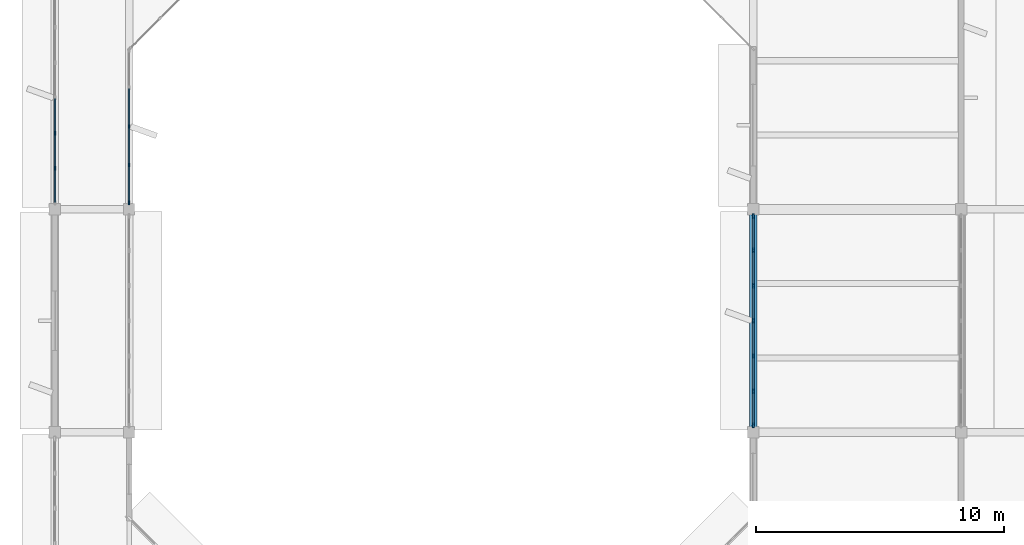
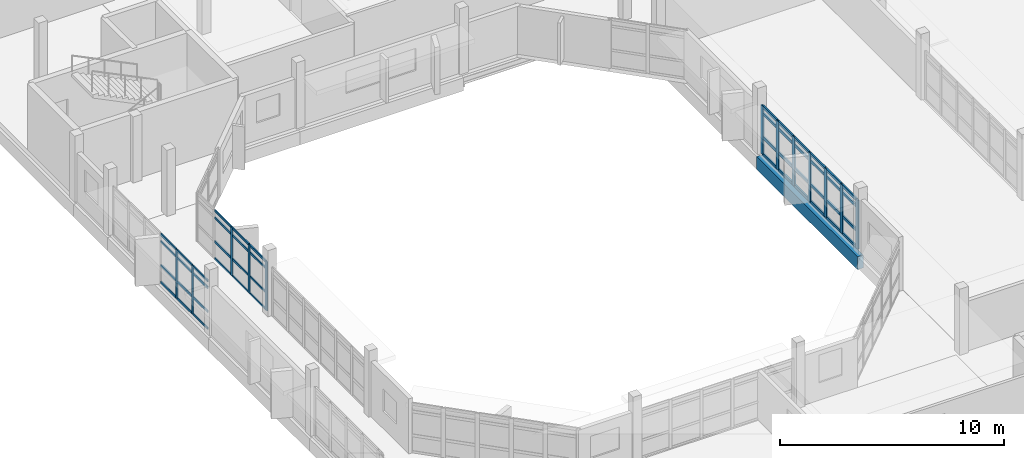
# One storey, part 6 of 42: 60 members, 1 beam, 3 elements without a shape of their own.
"""IFC4 building model written with IfcOpenShell, lengths in metres."""

from ifc_helpers import new_model, si_unit, direction, frame, origin, origin_2d, place, context, subcontext, project, spatial, rectangle, extrude, material, material_profile, profile_set, type_object, element, aggregate, save


model = new_model("IFC4")

# Units and contexts
model_context = context("Model", 3, precision=1e-05, world=origin(), true_north=direction((0.0, 1.0)))
body_context = subcontext(model_context, "Body", "Model", "MODEL_VIEW")
ifc_project = project(units=[si_unit("LENGTHUNIT", "METRE"), si_unit("AREAUNIT", "SQUARE_METRE"), si_unit("VOLUMEUNIT", "CUBIC_METRE"), si_unit("PLANEANGLEUNIT", "RADIAN"), si_unit("MASSUNIT", "GRAM", prefix="KILO")], contexts=[model_context])

# Site, building, storey
site_placement = place(None, origin())
site = spatial("IfcSite", under=ifc_project, at=site_placement, CompositionType="ELEMENT")
building_placement = place(site_placement, origin())
building = spatial("IfcBuilding", under=site, at=building_placement, Name="Vanh Quang Courtyard School", CompositionType="ELEMENT")
storey_placement = place(building_placement, frame((0.0, 0.0, 15.0)))
storey = spatial("IfcBuildingStorey", under=building, at=storey_placement, Name="L04", CompositionType="ELEMENT", Elevation=15.0)

# Beam
ifc_material_1 = material(Name="Concrete C35/45", Category="concrete")
ifc_material_profile_1 = material_profile(ifc_material_1, rectangle(XDim=0.300048828125, YDim=0.699951171875, at=origin_2d()), Name="RC-SP 300x700")
ifc_profile_set_1 = profile_set([ifc_material_profile_1], Name="Concrete C35/45")
beam_type = type_object("IfcBeamType", Name="BM-SP-300x700", PredefinedType="SPANDREL", material=ifc_profile_set_1)
beam_placement = place(storey_placement, frame((66.0, 50.39990234375, -0.610107421875), z_axis=(0.0, 1.0, 0.0), x_axis=(-1.0, 0.0, 0.0)))
element("IfcBeam", 1, at=beam_placement, inside=storey, type_object=beam_type, Name="Beam BS-01 (L04)", PredefinedType="SPANDREL", context=body_context, shape_type="SweptSolid", body=[
    extrude(rectangle(XDim=0.300048828125, YDim=0.699951171875, at=origin_2d()), origin(), (0.0, 0.0, 1.0), 9.0),
])

# Curtain wall, members
ifc_material_2 = material(Name="Thermally broken aluminium unitised curtain wall", Category="aluminium")
curtain_wall_type_1 = type_object("IfcCurtainWallType", Name="CW-SYS-50", PredefinedType="NOTDEFINED", material=ifc_material_2)
curtain_wall_1_placement = place(storey_placement, origin())
curtain_wall_1 = element("IfcCurtainWall", 2, at=curtain_wall_1_placement, inside=storey, type_object=curtain_wall_type_1, Name="Curtain Wall CW-50 (L04)", PredefinedType="NOTDEFINED")
ifc_material_3 = material(Name="Anodised aluminium 6063-T6", Category="aluminium")
ifc_material_profile_2 = material_profile(ifc_material_3, rectangle(XDim=0.06005859375, YDim=0.159912109375, at=origin_2d()), Name="ALU-MUL 60x160")
ifc_profile_set_2 = profile_set([ifc_material_profile_2], Name="Anodised aluminium 6063-T6")
member_type_1 = type_object("IfcMemberType", Name="CW-MUL-60x160", PredefinedType="MULLION", material=ifc_profile_set_2)
member_1_placement = place(storey_placement, frame((37.800048828125, 61.055419921875, 0.0), z_axis=(0.0, 0.0, 1.0), x_axis=(-1.0, 0.0, 0.0)))
member_1 = element("IfcMember", 3, at=member_1_placement, type_object=member_type_1, Name="CW-50 mullion 2", PredefinedType="MULLION", context=body_context, shape_type="SweptSolid", body=[
    extrude(rectangle(XDim=0.06005859375, YDim=0.159912109375, at=origin_2d()), origin(), (0.0, 0.0, 1.0), 2.64990234375),
])
member_2_placement = place(storey_placement, frame((37.800048828125, 62.477783203125, 0.0), z_axis=(0.0, 0.0, 1.0), x_axis=(-1.0, 0.0, 0.0)))
member_2 = element("IfcMember", 4, at=member_2_placement, type_object=member_type_1, Name="CW-50 mullion 3", PredefinedType="MULLION", context=body_context, shape_type="SweptSolid", body=[
    extrude(rectangle(XDim=0.06005859375, YDim=0.159912109375, at=origin_2d()), origin(), (0.0, 0.0, 1.0), 2.64990234375),
])

curtain_wall_type_2 = type_object("IfcCurtainWallType", Name="CW-SYS-44", PredefinedType="NOTDEFINED", material=ifc_material_2)
curtain_wall_2_placement = place(storey_placement, origin())
curtain_wall_2 = element("IfcCurtainWall", 5, at=curtain_wall_2_placement, inside=storey, type_object=curtain_wall_type_2, Name="Curtain Wall CW-44 (L04)", PredefinedType="NOTDEFINED")
member_3_placement = place(storey_placement, frame((40.800048828125, 62.744384765625, 0.0), z_axis=(0.0, 0.0, 1.0), x_axis=(1.0, 0.0, 0.0)))
member_3 = element("IfcMember", 6, at=member_3_placement, type_object=member_type_1, Name="CW-44 mullion 3", PredefinedType="MULLION", context=body_context, shape_type="SweptSolid", body=[
    extrude(rectangle(XDim=0.06005859375, YDim=0.159912109375, at=origin_2d()), origin(), (0.0, 0.0, 1.0), 2.64990234375),
])
member_4_placement = place(storey_placement, frame((40.800048828125, 61.188720703125, 0.0), z_axis=(0.0, 0.0, 1.0), x_axis=(1.0, 0.0, 0.0)))
member_4 = element("IfcMember", 7, at=member_4_placement, type_object=member_type_1, Name="CW-44 mullion 4", PredefinedType="MULLION", context=body_context, shape_type="SweptSolid", body=[
    extrude(rectangle(XDim=0.06005859375, YDim=0.159912109375, at=origin_2d()), origin(), (0.0, 0.0, 1.0), 2.64990234375),
])
member_5_placement = place(storey_placement, frame((40.800048828125, 59.6630859375, 0.0), z_axis=(0.0, 0.0, 1.0), x_axis=(1.0, 0.0, 0.0)))
member_5 = element("IfcMember", 8, at=member_5_placement, type_object=member_type_1, Name="CW-44 mullion 5", PredefinedType="MULLION", context=body_context, shape_type="SweptSolid", body=[
    extrude(rectangle(XDim=0.06005859375, YDim=0.159912109375, at=origin_2d()), origin(), (0.0, 0.0, 1.0), 2.64990234375),
])

curtain_wall_3_placement = place(storey_placement, origin())
curtain_wall_3 = element("IfcCurtainWall", 9, at=curtain_wall_3_placement, inside=storey, type_object=curtain_wall_type_1, Name="Curtain Wall CW-50 (L04)", PredefinedType="NOTDEFINED")
ifc_material_profile_3 = material_profile(ifc_material_3, rectangle(XDim=0.080078125, YDim=0.199951171875, at=origin_2d()), Name="ALU-MUL 80x200")
ifc_profile_set_3 = profile_set([ifc_material_profile_3], Name="Anodised aluminium 6063-T6")
member_type_2 = type_object("IfcMemberType", Name="CW-MUL-80x200", PredefinedType="MULLION", material=ifc_profile_set_3)
member_6_placement = place(storey_placement, frame((66.0, 50.673095703125, 0.0), z_axis=(0.0, 0.0, 1.0), x_axis=(-1.0, 0.0, 0.0)))
member_6 = element("IfcMember", 10, at=member_6_placement, type_object=member_type_2, Name="CW-50 mullion 1", PredefinedType="MULLION", context=body_context, shape_type="SweptSolid", body=[
    extrude(rectangle(XDim=0.080078125, YDim=0.199951171875, at=origin_2d()), origin(), (0.0, 0.0, 1.0), 2.64990234375),
])
member_7_placement = place(storey_placement, frame((66.0, 52.055419921875, 0.0), z_axis=(0.0, 0.0, 1.0), x_axis=(-1.0, 0.0, 0.0)))
member_7 = element("IfcMember", 11, at=member_7_placement, type_object=member_type_2, Name="CW-50 mullion 2", PredefinedType="MULLION", context=body_context, shape_type="SweptSolid", body=[
    extrude(rectangle(XDim=0.080078125, YDim=0.199951171875, at=origin_2d()), origin(), (0.0, 0.0, 1.0), 2.64990234375),
])
member_8_placement = place(storey_placement, frame((66.0, 53.477783203125, 0.0), z_axis=(0.0, 0.0, 1.0), x_axis=(-1.0, 0.0, 0.0)))
member_8 = element("IfcMember", 12, at=member_8_placement, type_object=member_type_2, Name="CW-50 mullion 3", PredefinedType="MULLION", context=body_context, shape_type="SweptSolid", body=[
    extrude(rectangle(XDim=0.080078125, YDim=0.199951171875, at=origin_2d()), origin(), (0.0, 0.0, 1.0), 2.64990234375),
])
member_9_placement = place(storey_placement, frame((66.0, 54.89990234375, 0.0), z_axis=(0.0, 0.0, 1.0), x_axis=(-1.0, 0.0, 0.0)))
member_9 = element("IfcMember", 13, at=member_9_placement, type_object=member_type_2, Name="CW-50 mullion 4", PredefinedType="MULLION", context=body_context, shape_type="SweptSolid", body=[
    extrude(rectangle(XDim=0.080078125, YDim=0.199951171875, at=origin_2d()), origin(), (0.0, 0.0, 1.0), 2.64990234375),
])
member_10_placement = place(storey_placement, frame((66.0, 56.322265625, 0.0), z_axis=(0.0, 0.0, 1.0), x_axis=(-1.0, 0.0, 0.0)))
member_10 = element("IfcMember", 14, at=member_10_placement, type_object=member_type_2, Name="CW-50 mullion 5", PredefinedType="MULLION", context=body_context, shape_type="SweptSolid", body=[
    extrude(rectangle(XDim=0.080078125, YDim=0.199951171875, at=origin_2d()), origin(), (0.0, 0.0, 1.0), 2.64990234375),
])
member_11_placement = place(storey_placement, frame((66.0, 57.74462890625, 0.0), z_axis=(0.0, 0.0, 1.0), x_axis=(-1.0, 0.0, 0.0)))
member_11 = element("IfcMember", 15, at=member_11_placement, type_object=member_type_2, Name="CW-50 mullion 6", PredefinedType="MULLION", context=body_context, shape_type="SweptSolid", body=[
    extrude(rectangle(XDim=0.080078125, YDim=0.199951171875, at=origin_2d()), origin(), (0.0, 0.0, 1.0), 2.64990234375),
])
member_12_placement = place(storey_placement, frame((66.0, 59.126953125, 0.0), z_axis=(0.0, 0.0, 1.0), x_axis=(-1.0, 0.0, 0.0)))
member_12 = element("IfcMember", 16, at=member_12_placement, type_object=member_type_2, Name="CW-50 mullion 7", PredefinedType="MULLION", context=body_context, shape_type="SweptSolid", body=[
    extrude(rectangle(XDim=0.080078125, YDim=0.199951171875, at=origin_2d()), origin(), (0.0, 0.0, 1.0), 2.64990234375),
])

# Member
ifc_material_profile_4 = material_profile(ifc_material_3, rectangle(XDim=0.06005859375, YDim=0.1201171875, at=origin_2d()), Name="ALU-TRN 60x120")
ifc_profile_set_4 = profile_set([ifc_material_profile_4], Name="Anodised aluminium 6063-T6")
member_type_3 = type_object("IfcMemberType", Name="CW-TRN-60x120", PredefinedType="USERDEFINED", material=ifc_profile_set_4)
member_13_placement = place(storey_placement, frame((37.800048828125, 59.693115234375, 0.030029296875), z_axis=(0.0, 1.0, 0.0), x_axis=(-1.0, 0.0, 0.0)))
member_13 = element("IfcMember", 17, at=member_13_placement, type_object=member_type_3, Name="CW-50 transom 1.1", ObjectType="TRANSOM", PredefinedType="USERDEFINED", context=body_context, shape_type="SweptSolid", body=[
    extrude(rectangle(XDim=0.06005859375, YDim=0.1201171875, at=origin_2d()), origin(), (0.0, 0.0, 1.0), 1.332275390625),
])

member_14_placement = place(storey_placement, frame((37.800048828125, 59.693115234375, 0.949951171875), z_axis=(0.0, 1.0, 0.0), x_axis=(-1.0, 0.0, 0.0)))
member_14 = element("IfcMember", 18, at=member_14_placement, type_object=member_type_3, Name="CW-50 transom 1.2", ObjectType="TRANSOM", PredefinedType="USERDEFINED", context=body_context, shape_type="SweptSolid", body=[
    extrude(rectangle(XDim=0.06005859375, YDim=0.1201171875, at=origin_2d()), origin(), (0.0, 0.0, 1.0), 1.332275390625),
])

member_15_placement = place(storey_placement, frame((37.800048828125, 59.693115234375, 2.25), z_axis=(0.0, 1.0, 0.0), x_axis=(-1.0, 0.0, 0.0)))
member_15 = element("IfcMember", 19, at=member_15_placement, type_object=member_type_3, Name="CW-50 transom 1.3", ObjectType="TRANSOM", PredefinedType="USERDEFINED", context=body_context, shape_type="SweptSolid", body=[
    extrude(rectangle(XDim=0.06005859375, YDim=0.1201171875, at=origin_2d()), origin(), (0.0, 0.0, 1.0), 1.332275390625),
])

member_16_placement = place(storey_placement, frame((37.800048828125, 59.693115234375, 2.6201171875), z_axis=(0.0, 1.0, 0.0), x_axis=(-1.0, 0.0, 0.0)))
member_16 = element("IfcMember", 20, at=member_16_placement, type_object=member_type_3, Name="CW-50 transom 1.4", ObjectType="TRANSOM", PredefinedType="USERDEFINED", context=body_context, shape_type="SweptSolid", body=[
    extrude(rectangle(XDim=0.06005859375, YDim=0.1201171875, at=origin_2d()), origin(), (0.0, 0.0, 1.0), 1.332275390625),
])

member_17_placement = place(storey_placement, frame((37.800048828125, 61.08544921875, 0.030029296875), z_axis=(0.0, 1.0, 0.0), x_axis=(-1.0, 0.0, 0.0)))
member_17 = element("IfcMember", 21, at=member_17_placement, type_object=member_type_3, Name="CW-50 transom 2.1", ObjectType="TRANSOM", PredefinedType="USERDEFINED", context=body_context, shape_type="SweptSolid", body=[
    extrude(rectangle(XDim=0.06005859375, YDim=0.1201171875, at=origin_2d()), origin(), (0.0, 0.0, 1.0), 1.3623046875),
])

member_18_placement = place(storey_placement, frame((37.800048828125, 61.08544921875, 0.949951171875), z_axis=(0.0, 1.0, 0.0), x_axis=(-1.0, 0.0, 0.0)))
member_18 = element("IfcMember", 22, at=member_18_placement, type_object=member_type_3, Name="CW-50 transom 2.2", ObjectType="TRANSOM", PredefinedType="USERDEFINED", context=body_context, shape_type="SweptSolid", body=[
    extrude(rectangle(XDim=0.06005859375, YDim=0.1201171875, at=origin_2d()), origin(), (0.0, 0.0, 1.0), 1.3623046875),
])

member_19_placement = place(storey_placement, frame((37.800048828125, 61.08544921875, 2.25), z_axis=(0.0, 1.0, 0.0), x_axis=(-1.0, 0.0, 0.0)))
member_19 = element("IfcMember", 23, at=member_19_placement, type_object=member_type_3, Name="CW-50 transom 2.3", ObjectType="TRANSOM", PredefinedType="USERDEFINED", context=body_context, shape_type="SweptSolid", body=[
    extrude(rectangle(XDim=0.06005859375, YDim=0.1201171875, at=origin_2d()), origin(), (0.0, 0.0, 1.0), 1.3623046875),
])

member_20_placement = place(storey_placement, frame((37.800048828125, 61.08544921875, 2.6201171875), z_axis=(0.0, 1.0, 0.0), x_axis=(-1.0, 0.0, 0.0)))
member_20 = element("IfcMember", 24, at=member_20_placement, type_object=member_type_3, Name="CW-50 transom 2.4", ObjectType="TRANSOM", PredefinedType="USERDEFINED", context=body_context, shape_type="SweptSolid", body=[
    extrude(rectangle(XDim=0.06005859375, YDim=0.1201171875, at=origin_2d()), origin(), (0.0, 0.0, 1.0), 1.3623046875),
])

member_21_placement = place(storey_placement, frame((37.800048828125, 62.507568359375, 0.030029296875), z_axis=(0.0, 1.0, 0.0), x_axis=(-1.0, 0.0, 0.0)))
member_21 = element("IfcMember", 25, at=member_21_placement, type_object=member_type_3, Name="CW-50 transom 3.1", ObjectType="TRANSOM", PredefinedType="USERDEFINED", context=body_context, shape_type="SweptSolid", body=[
    extrude(rectangle(XDim=0.06005859375, YDim=0.1201171875, at=origin_2d()), origin(), (0.0, 0.0, 1.0), 1.362548828125),
])

member_22_placement = place(storey_placement, frame((37.800048828125, 62.507568359375, 0.949951171875), z_axis=(0.0, 1.0, 0.0), x_axis=(-1.0, 0.0, 0.0)))
member_22 = element("IfcMember", 26, at=member_22_placement, type_object=member_type_3, Name="CW-50 transom 3.2", ObjectType="TRANSOM", PredefinedType="USERDEFINED", context=body_context, shape_type="SweptSolid", body=[
    extrude(rectangle(XDim=0.06005859375, YDim=0.1201171875, at=origin_2d()), origin(), (0.0, 0.0, 1.0), 1.362548828125),
])

member_23_placement = place(storey_placement, frame((37.800048828125, 62.507568359375, 2.25), z_axis=(0.0, 1.0, 0.0), x_axis=(-1.0, 0.0, 0.0)))
member_23 = element("IfcMember", 27, at=member_23_placement, type_object=member_type_3, Name="CW-50 transom 3.3", ObjectType="TRANSOM", PredefinedType="USERDEFINED", context=body_context, shape_type="SweptSolid", body=[
    extrude(rectangle(XDim=0.06005859375, YDim=0.1201171875, at=origin_2d()), origin(), (0.0, 0.0, 1.0), 1.362548828125),
])

member_24_placement = place(storey_placement, frame((37.800048828125, 62.507568359375, 2.6201171875), z_axis=(0.0, 1.0, 0.0), x_axis=(-1.0, 0.0, 0.0)))
member_24 = element("IfcMember", 28, at=member_24_placement, type_object=member_type_3, Name="CW-50 transom 3.4", ObjectType="TRANSOM", PredefinedType="USERDEFINED", context=body_context, shape_type="SweptSolid", body=[
    extrude(rectangle(XDim=0.06005859375, YDim=0.1201171875, at=origin_2d()), origin(), (0.0, 0.0, 1.0), 1.362548828125),
])

aggregate(curtain_wall_1, [member_1, member_2, member_13, member_14, member_15, member_16, member_17, member_18, member_19, member_20, member_21, member_22, member_23, member_24])

member_25_placement = place(storey_placement, frame((40.800048828125, 64.270263671875, 0.030029296875), z_axis=(0.0, -1.0, 0.0), x_axis=(1.0, 0.0, 0.0)))
member_25 = element("IfcMember", 29, at=member_25_placement, type_object=member_type_3, Name="CW-44 transom 2.1", ObjectType="TRANSOM", PredefinedType="USERDEFINED", context=body_context, shape_type="SweptSolid", body=[
    extrude(rectangle(XDim=0.06005859375, YDim=0.1201171875, at=origin_2d()), origin(), (0.0, 0.0, 1.0), 1.495849609375),
])

member_26_placement = place(storey_placement, frame((40.800048828125, 64.270263671875, 0.949951171875), z_axis=(0.0, -1.0, 0.0), x_axis=(1.0, 0.0, 0.0)))
member_26 = element("IfcMember", 30, at=member_26_placement, type_object=member_type_3, Name="CW-44 transom 2.2", ObjectType="TRANSOM", PredefinedType="USERDEFINED", context=body_context, shape_type="SweptSolid", body=[
    extrude(rectangle(XDim=0.06005859375, YDim=0.1201171875, at=origin_2d()), origin(), (0.0, 0.0, 1.0), 1.495849609375),
])

member_27_placement = place(storey_placement, frame((40.800048828125, 64.270263671875, 2.25), z_axis=(0.0, -1.0, 0.0), x_axis=(1.0, 0.0, 0.0)))
member_27 = element("IfcMember", 31, at=member_27_placement, type_object=member_type_3, Name="CW-44 transom 2.3", ObjectType="TRANSOM", PredefinedType="USERDEFINED", context=body_context, shape_type="SweptSolid", body=[
    extrude(rectangle(XDim=0.06005859375, YDim=0.1201171875, at=origin_2d()), origin(), (0.0, 0.0, 1.0), 1.495849609375),
])

member_28_placement = place(storey_placement, frame((40.800048828125, 64.270263671875, 2.6201171875), z_axis=(0.0, -1.0, 0.0), x_axis=(1.0, 0.0, 0.0)))
member_28 = element("IfcMember", 32, at=member_28_placement, type_object=member_type_3, Name="CW-44 transom 2.4", ObjectType="TRANSOM", PredefinedType="USERDEFINED", context=body_context, shape_type="SweptSolid", body=[
    extrude(rectangle(XDim=0.06005859375, YDim=0.1201171875, at=origin_2d()), origin(), (0.0, 0.0, 1.0), 1.495849609375),
])

member_29_placement = place(storey_placement, frame((40.800048828125, 62.714599609375, 0.030029296875), z_axis=(0.0, -1.0, 0.0), x_axis=(1.0, 0.0, 0.0)))
member_29 = element("IfcMember", 33, at=member_29_placement, type_object=member_type_3, Name="CW-44 transom 3.1", ObjectType="TRANSOM", PredefinedType="USERDEFINED", context=body_context, shape_type="SweptSolid", body=[
    extrude(rectangle(XDim=0.06005859375, YDim=0.1201171875, at=origin_2d()), origin(), (0.0, 0.0, 1.0), 1.495849609375),
])

member_30_placement = place(storey_placement, frame((40.800048828125, 62.714599609375, 0.949951171875), z_axis=(0.0, -1.0, 0.0), x_axis=(1.0, 0.0, 0.0)))
member_30 = element("IfcMember", 34, at=member_30_placement, type_object=member_type_3, Name="CW-44 transom 3.2", ObjectType="TRANSOM", PredefinedType="USERDEFINED", context=body_context, shape_type="SweptSolid", body=[
    extrude(rectangle(XDim=0.06005859375, YDim=0.1201171875, at=origin_2d()), origin(), (0.0, 0.0, 1.0), 1.495849609375),
])

member_31_placement = place(storey_placement, frame((40.800048828125, 62.714599609375, 2.25), z_axis=(0.0, -1.0, 0.0), x_axis=(1.0, 0.0, 0.0)))
member_31 = element("IfcMember", 35, at=member_31_placement, type_object=member_type_3, Name="CW-44 transom 3.3", ObjectType="TRANSOM", PredefinedType="USERDEFINED", context=body_context, shape_type="SweptSolid", body=[
    extrude(rectangle(XDim=0.06005859375, YDim=0.1201171875, at=origin_2d()), origin(), (0.0, 0.0, 1.0), 1.495849609375),
])

member_32_placement = place(storey_placement, frame((40.800048828125, 62.714599609375, 2.6201171875), z_axis=(0.0, -1.0, 0.0), x_axis=(1.0, 0.0, 0.0)))
member_32 = element("IfcMember", 36, at=member_32_placement, type_object=member_type_3, Name="CW-44 transom 3.4", ObjectType="TRANSOM", PredefinedType="USERDEFINED", context=body_context, shape_type="SweptSolid", body=[
    extrude(rectangle(XDim=0.06005859375, YDim=0.1201171875, at=origin_2d()), origin(), (0.0, 0.0, 1.0), 1.495849609375),
])

member_33_placement = place(storey_placement, frame((40.800048828125, 61.15869140625, 0.030029296875), z_axis=(0.0, -1.0, 0.0), x_axis=(1.0, 0.0, 0.0)))
member_33 = element("IfcMember", 37, at=member_33_placement, type_object=member_type_3, Name="CW-44 transom 4.1", ObjectType="TRANSOM", PredefinedType="USERDEFINED", context=body_context, shape_type="SweptSolid", body=[
    extrude(rectangle(XDim=0.06005859375, YDim=0.1201171875, at=origin_2d()), origin(), (0.0, 0.0, 1.0), 1.465576171875),
])

member_34_placement = place(storey_placement, frame((40.800048828125, 61.15869140625, 0.949951171875), z_axis=(0.0, -1.0, 0.0), x_axis=(1.0, 0.0, 0.0)))
member_34 = element("IfcMember", 38, at=member_34_placement, type_object=member_type_3, Name="CW-44 transom 4.2", ObjectType="TRANSOM", PredefinedType="USERDEFINED", context=body_context, shape_type="SweptSolid", body=[
    extrude(rectangle(XDim=0.06005859375, YDim=0.1201171875, at=origin_2d()), origin(), (0.0, 0.0, 1.0), 1.465576171875),
])

member_35_placement = place(storey_placement, frame((40.800048828125, 61.15869140625, 2.25), z_axis=(0.0, -1.0, 0.0), x_axis=(1.0, 0.0, 0.0)))
member_35 = element("IfcMember", 39, at=member_35_placement, type_object=member_type_3, Name="CW-44 transom 4.3", ObjectType="TRANSOM", PredefinedType="USERDEFINED", context=body_context, shape_type="SweptSolid", body=[
    extrude(rectangle(XDim=0.06005859375, YDim=0.1201171875, at=origin_2d()), origin(), (0.0, 0.0, 1.0), 1.465576171875),
])

member_36_placement = place(storey_placement, frame((40.800048828125, 61.15869140625, 2.6201171875), z_axis=(0.0, -1.0, 0.0), x_axis=(1.0, 0.0, 0.0)))
member_36 = element("IfcMember", 40, at=member_36_placement, type_object=member_type_3, Name="CW-44 transom 4.4", ObjectType="TRANSOM", PredefinedType="USERDEFINED", context=body_context, shape_type="SweptSolid", body=[
    extrude(rectangle(XDim=0.06005859375, YDim=0.1201171875, at=origin_2d()), origin(), (0.0, 0.0, 1.0), 1.465576171875),
])

aggregate(curtain_wall_2, [member_3, member_4, member_5, member_25, member_26, member_27, member_28, member_29, member_30, member_31, member_32, member_33, member_34, member_35, member_36])

ifc_material_profile_5 = material_profile(ifc_material_3, rectangle(XDim=0.080078125, YDim=0.14990234375, at=origin_2d()), Name="ALU-TRN 80x150")
ifc_profile_set_5 = profile_set([ifc_material_profile_5], Name="Anodised aluminium 6063-T6")
member_type_4 = type_object("IfcMemberType", Name="CW-TRN-80x150", PredefinedType="USERDEFINED", material=ifc_profile_set_5)
member_37_placement = place(storey_placement, frame((66.0, 50.712890625, 0.0400390625), z_axis=(0.0, 1.0, 0.0), x_axis=(-1.0, 0.0, 0.0)))
member_37 = element("IfcMember", 41, at=member_37_placement, type_object=member_type_4, Name="CW-50 transom 1.1", ObjectType="TRANSOM", PredefinedType="USERDEFINED", context=body_context, shape_type="SweptSolid", body=[
    extrude(rectangle(XDim=0.080078125, YDim=0.14990234375, at=origin_2d()), origin(), (0.0, 0.0, 1.0), 1.302490234375),
])

member_38_placement = place(storey_placement, frame((66.0, 50.712890625, 0.949951171875), z_axis=(0.0, 1.0, 0.0), x_axis=(-1.0, 0.0, 0.0)))
member_38 = element("IfcMember", 42, at=member_38_placement, type_object=member_type_4, Name="CW-50 transom 1.2", ObjectType="TRANSOM", PredefinedType="USERDEFINED", context=body_context, shape_type="SweptSolid", body=[
    extrude(rectangle(XDim=0.080078125, YDim=0.14990234375, at=origin_2d()), origin(), (0.0, 0.0, 1.0), 1.302490234375),
])

member_39_placement = place(storey_placement, frame((66.0, 50.712890625, 2.25), z_axis=(0.0, 1.0, 0.0), x_axis=(-1.0, 0.0, 0.0)))
member_39 = element("IfcMember", 43, at=member_39_placement, type_object=member_type_4, Name="CW-50 transom 1.3", ObjectType="TRANSOM", PredefinedType="USERDEFINED", context=body_context, shape_type="SweptSolid", body=[
    extrude(rectangle(XDim=0.080078125, YDim=0.14990234375, at=origin_2d()), origin(), (0.0, 0.0, 1.0), 1.302490234375),
])

member_40_placement = place(storey_placement, frame((66.0, 50.712890625, 2.610107421875), z_axis=(0.0, 1.0, 0.0), x_axis=(-1.0, 0.0, 0.0)))
member_40 = element("IfcMember", 44, at=member_40_placement, type_object=member_type_4, Name="CW-50 transom 1.4", ObjectType="TRANSOM", PredefinedType="USERDEFINED", context=body_context, shape_type="SweptSolid", body=[
    extrude(rectangle(XDim=0.080078125, YDim=0.14990234375, at=origin_2d()), origin(), (0.0, 0.0, 1.0), 1.302490234375),
])

member_41_placement = place(storey_placement, frame((66.0, 52.09521484375, 0.0400390625), z_axis=(0.0, 1.0, 0.0), x_axis=(-1.0, 0.0, 0.0)))
member_41 = element("IfcMember", 45, at=member_41_placement, type_object=member_type_4, Name="CW-50 transom 2.1", ObjectType="TRANSOM", PredefinedType="USERDEFINED", context=body_context, shape_type="SweptSolid", body=[
    extrude(rectangle(XDim=0.080078125, YDim=0.14990234375, at=origin_2d()), origin(), (0.0, 0.0, 1.0), 1.342529296875),
])

member_42_placement = place(storey_placement, frame((66.0, 52.09521484375, 0.949951171875), z_axis=(0.0, 1.0, 0.0), x_axis=(-1.0, 0.0, 0.0)))
member_42 = element("IfcMember", 46, at=member_42_placement, type_object=member_type_4, Name="CW-50 transom 2.2", ObjectType="TRANSOM", PredefinedType="USERDEFINED", context=body_context, shape_type="SweptSolid", body=[
    extrude(rectangle(XDim=0.080078125, YDim=0.14990234375, at=origin_2d()), origin(), (0.0, 0.0, 1.0), 1.342529296875),
])

member_43_placement = place(storey_placement, frame((66.0, 52.09521484375, 2.25), z_axis=(0.0, 1.0, 0.0), x_axis=(-1.0, 0.0, 0.0)))
member_43 = element("IfcMember", 47, at=member_43_placement, type_object=member_type_4, Name="CW-50 transom 2.3", ObjectType="TRANSOM", PredefinedType="USERDEFINED", context=body_context, shape_type="SweptSolid", body=[
    extrude(rectangle(XDim=0.080078125, YDim=0.14990234375, at=origin_2d()), origin(), (0.0, 0.0, 1.0), 1.342529296875),
])

member_44_placement = place(storey_placement, frame((66.0, 52.09521484375, 2.610107421875), z_axis=(0.0, 1.0, 0.0), x_axis=(-1.0, 0.0, 0.0)))
member_44 = element("IfcMember", 48, at=member_44_placement, type_object=member_type_4, Name="CW-50 transom 2.4", ObjectType="TRANSOM", PredefinedType="USERDEFINED", context=body_context, shape_type="SweptSolid", body=[
    extrude(rectangle(XDim=0.080078125, YDim=0.14990234375, at=origin_2d()), origin(), (0.0, 0.0, 1.0), 1.342529296875),
])

member_45_placement = place(storey_placement, frame((66.0, 53.517578125, 0.0400390625), z_axis=(0.0, 1.0, 0.0), x_axis=(-1.0, 0.0, 0.0)))
member_45 = element("IfcMember", 49, at=member_45_placement, type_object=member_type_4, Name="CW-50 transom 3.1", ObjectType="TRANSOM", PredefinedType="USERDEFINED", context=body_context, shape_type="SweptSolid", body=[
    extrude(rectangle(XDim=0.080078125, YDim=0.14990234375, at=origin_2d()), origin(), (0.0, 0.0, 1.0), 1.342529296875),
])

member_46_placement = place(storey_placement, frame((66.0, 53.517578125, 0.949951171875), z_axis=(0.0, 1.0, 0.0), x_axis=(-1.0, 0.0, 0.0)))
member_46 = element("IfcMember", 50, at=member_46_placement, type_object=member_type_4, Name="CW-50 transom 3.2", ObjectType="TRANSOM", PredefinedType="USERDEFINED", context=body_context, shape_type="SweptSolid", body=[
    extrude(rectangle(XDim=0.080078125, YDim=0.14990234375, at=origin_2d()), origin(), (0.0, 0.0, 1.0), 1.342529296875),
])

member_47_placement = place(storey_placement, frame((66.0, 53.517578125, 2.25), z_axis=(0.0, 1.0, 0.0), x_axis=(-1.0, 0.0, 0.0)))
member_47 = element("IfcMember", 51, at=member_47_placement, type_object=member_type_4, Name="CW-50 transom 3.3", ObjectType="TRANSOM", PredefinedType="USERDEFINED", context=body_context, shape_type="SweptSolid", body=[
    extrude(rectangle(XDim=0.080078125, YDim=0.14990234375, at=origin_2d()), origin(), (0.0, 0.0, 1.0), 1.342529296875),
])

member_48_placement = place(storey_placement, frame((66.0, 53.517578125, 2.610107421875), z_axis=(0.0, 1.0, 0.0), x_axis=(-1.0, 0.0, 0.0)))
member_48 = element("IfcMember", 52, at=member_48_placement, type_object=member_type_4, Name="CW-50 transom 3.4", ObjectType="TRANSOM", PredefinedType="USERDEFINED", context=body_context, shape_type="SweptSolid", body=[
    extrude(rectangle(XDim=0.080078125, YDim=0.14990234375, at=origin_2d()), origin(), (0.0, 0.0, 1.0), 1.342529296875),
])

member_49_placement = place(storey_placement, frame((66.0, 54.93994140625, 0.0400390625), z_axis=(0.0, 1.0, 0.0), x_axis=(-1.0, 0.0, 0.0)))
member_49 = element("IfcMember", 53, at=member_49_placement, type_object=member_type_4, Name="CW-50 transom 4.1", ObjectType="TRANSOM", PredefinedType="USERDEFINED", context=body_context, shape_type="SweptSolid", body=[
    extrude(rectangle(XDim=0.080078125, YDim=0.14990234375, at=origin_2d()), origin(), (0.0, 0.0, 1.0), 1.34228515625),
])

member_50_placement = place(storey_placement, frame((66.0, 54.93994140625, 0.949951171875), z_axis=(0.0, 1.0, 0.0), x_axis=(-1.0, 0.0, 0.0)))
member_50 = element("IfcMember", 54, at=member_50_placement, type_object=member_type_4, Name="CW-50 transom 4.2", ObjectType="TRANSOM", PredefinedType="USERDEFINED", context=body_context, shape_type="SweptSolid", body=[
    extrude(rectangle(XDim=0.080078125, YDim=0.14990234375, at=origin_2d()), origin(), (0.0, 0.0, 1.0), 1.34228515625),
])

member_51_placement = place(storey_placement, frame((66.0, 54.93994140625, 2.25), z_axis=(0.0, 1.0, 0.0), x_axis=(-1.0, 0.0, 0.0)))
member_51 = element("IfcMember", 55, at=member_51_placement, type_object=member_type_4, Name="CW-50 transom 4.3", ObjectType="TRANSOM", PredefinedType="USERDEFINED", context=body_context, shape_type="SweptSolid", body=[
    extrude(rectangle(XDim=0.080078125, YDim=0.14990234375, at=origin_2d()), origin(), (0.0, 0.0, 1.0), 1.34228515625),
])

member_52_placement = place(storey_placement, frame((66.0, 54.93994140625, 2.610107421875), z_axis=(0.0, 1.0, 0.0), x_axis=(-1.0, 0.0, 0.0)))
member_52 = element("IfcMember", 56, at=member_52_placement, type_object=member_type_4, Name="CW-50 transom 4.4", ObjectType="TRANSOM", PredefinedType="USERDEFINED", context=body_context, shape_type="SweptSolid", body=[
    extrude(rectangle(XDim=0.080078125, YDim=0.14990234375, at=origin_2d()), origin(), (0.0, 0.0, 1.0), 1.34228515625),
])

member_53_placement = place(storey_placement, frame((66.0, 56.3623046875, 0.0400390625), z_axis=(0.0, 1.0, 0.0), x_axis=(-1.0, 0.0, 0.0)))
member_53 = element("IfcMember", 57, at=member_53_placement, type_object=member_type_4, Name="CW-50 transom 5.1", ObjectType="TRANSOM", PredefinedType="USERDEFINED", context=body_context, shape_type="SweptSolid", body=[
    extrude(rectangle(XDim=0.080078125, YDim=0.14990234375, at=origin_2d()), origin(), (0.0, 0.0, 1.0), 1.34228515625),
])

member_54_placement = place(storey_placement, frame((66.0, 56.3623046875, 0.949951171875), z_axis=(0.0, 1.0, 0.0), x_axis=(-1.0, 0.0, 0.0)))
member_54 = element("IfcMember", 58, at=member_54_placement, type_object=member_type_4, Name="CW-50 transom 5.2", ObjectType="TRANSOM", PredefinedType="USERDEFINED", context=body_context, shape_type="SweptSolid", body=[
    extrude(rectangle(XDim=0.080078125, YDim=0.14990234375, at=origin_2d()), origin(), (0.0, 0.0, 1.0), 1.34228515625),
])

member_55_placement = place(storey_placement, frame((66.0, 56.3623046875, 2.25), z_axis=(0.0, 1.0, 0.0), x_axis=(-1.0, 0.0, 0.0)))
member_55 = element("IfcMember", 59, at=member_55_placement, type_object=member_type_4, Name="CW-50 transom 5.3", ObjectType="TRANSOM", PredefinedType="USERDEFINED", context=body_context, shape_type="SweptSolid", body=[
    extrude(rectangle(XDim=0.080078125, YDim=0.14990234375, at=origin_2d()), origin(), (0.0, 0.0, 1.0), 1.34228515625),
])

member_56_placement = place(storey_placement, frame((66.0, 56.3623046875, 2.610107421875), z_axis=(0.0, 1.0, 0.0), x_axis=(-1.0, 0.0, 0.0)))
member_56 = element("IfcMember", 60, at=member_56_placement, type_object=member_type_4, Name="CW-50 transom 5.4", ObjectType="TRANSOM", PredefinedType="USERDEFINED", context=body_context, shape_type="SweptSolid", body=[
    extrude(rectangle(XDim=0.080078125, YDim=0.14990234375, at=origin_2d()), origin(), (0.0, 0.0, 1.0), 1.34228515625),
])

member_57_placement = place(storey_placement, frame((66.0, 57.78466796875, 0.0400390625), z_axis=(0.0, 1.0, 0.0), x_axis=(-1.0, 0.0, 0.0)))
member_57 = element("IfcMember", 61, at=member_57_placement, type_object=member_type_4, Name="CW-50 transom 6.1", ObjectType="TRANSOM", PredefinedType="USERDEFINED", context=body_context, shape_type="SweptSolid", body=[
    extrude(rectangle(XDim=0.080078125, YDim=0.14990234375, at=origin_2d()), origin(), (0.0, 0.0, 1.0), 1.30224609375),
])

member_58_placement = place(storey_placement, frame((66.0, 57.78466796875, 0.949951171875), z_axis=(0.0, 1.0, 0.0), x_axis=(-1.0, 0.0, 0.0)))
member_58 = element("IfcMember", 62, at=member_58_placement, type_object=member_type_4, Name="CW-50 transom 6.2", ObjectType="TRANSOM", PredefinedType="USERDEFINED", context=body_context, shape_type="SweptSolid", body=[
    extrude(rectangle(XDim=0.080078125, YDim=0.14990234375, at=origin_2d()), origin(), (0.0, 0.0, 1.0), 1.30224609375),
])

member_59_placement = place(storey_placement, frame((66.0, 57.78466796875, 2.25), z_axis=(0.0, 1.0, 0.0), x_axis=(-1.0, 0.0, 0.0)))
member_59 = element("IfcMember", 63, at=member_59_placement, type_object=member_type_4, Name="CW-50 transom 6.3", ObjectType="TRANSOM", PredefinedType="USERDEFINED", context=body_context, shape_type="SweptSolid", body=[
    extrude(rectangle(XDim=0.080078125, YDim=0.14990234375, at=origin_2d()), origin(), (0.0, 0.0, 1.0), 1.30224609375),
])

member_60_placement = place(storey_placement, frame((66.0, 57.78466796875, 2.610107421875), z_axis=(0.0, 1.0, 0.0), x_axis=(-1.0, 0.0, 0.0)))
member_60 = element("IfcMember", 64, at=member_60_placement, type_object=member_type_4, Name="CW-50 transom 6.4", ObjectType="TRANSOM", PredefinedType="USERDEFINED", context=body_context, shape_type="SweptSolid", body=[
    extrude(rectangle(XDim=0.080078125, YDim=0.14990234375, at=origin_2d()), origin(), (0.0, 0.0, 1.0), 1.30224609375),
])

aggregate(curtain_wall_3, [member_6, member_7, member_8, member_9, member_10, member_11, member_12, member_37, member_38, member_39, member_40, member_41, member_42, member_43, member_44, member_45, member_46, member_47, member_48, member_49, member_50, member_51, member_52, member_53, member_54, member_55, member_56, member_57, member_58, member_59, member_60])

save(model, "model.ifc")
